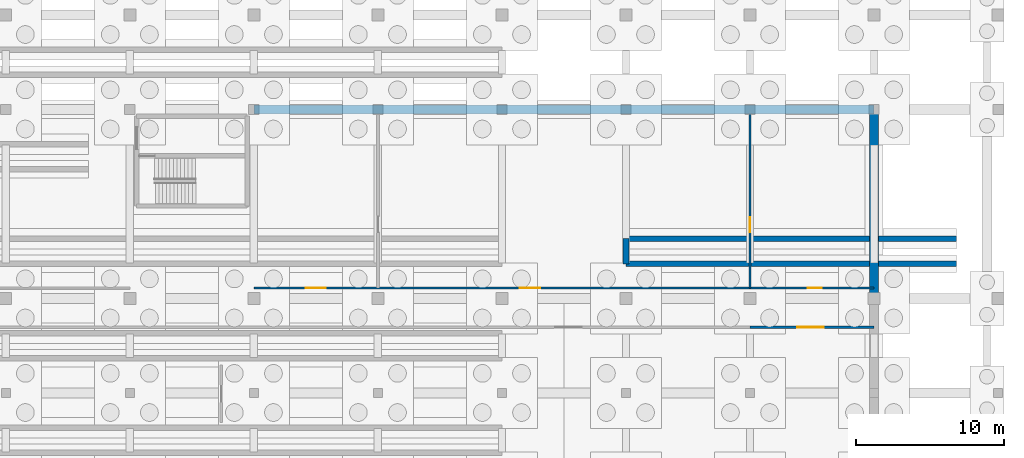
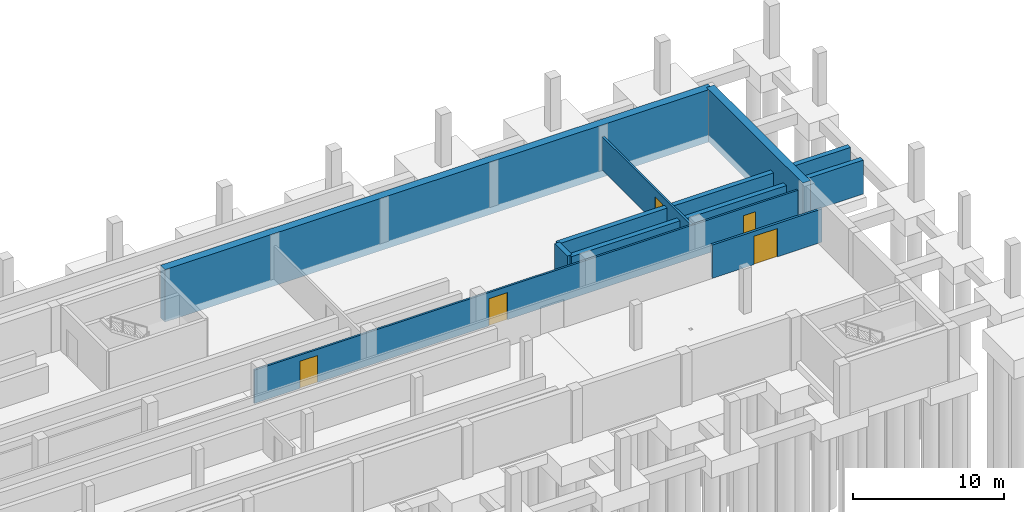
# One storey, part 6 of 9: 8 walls, 5 doors, 5 openings.
"""IFC4 building model written with IfcOpenShell, lengths in metres."""

from ifc_helpers import new_model, si_unit, direction, frame, frame_2d, origin, place, context, subcontext, project, spatial, rectangle, extrude, material, layer, layer_set, type_object, element, fill, save


model = new_model("IFC4")

# Units and contexts
model_context = context("Model", 3, precision=1e-05, world=origin(), true_north=direction((0.0, 1.0)))
body_context = subcontext(model_context, "Body", "Model", "MODEL_VIEW")
ifc_project = project(units=[si_unit("LENGTHUNIT", "METRE"), si_unit("AREAUNIT", "SQUARE_METRE"), si_unit("VOLUMEUNIT", "CUBIC_METRE"), si_unit("PLANEANGLEUNIT", "RADIAN"), si_unit("MASSUNIT", "GRAM", prefix="KILO")], contexts=[model_context])

# Site, building, storey
site_placement = place(None, origin())
site = spatial("IfcSite", under=ifc_project, at=site_placement, CompositionType="ELEMENT")
building_placement = place(site_placement, origin())
building = spatial("IfcBuilding", under=site, at=building_placement, Name="Kazenagashi Tramway Depot", CompositionType="ELEMENT")
storey_placement = place(building_placement, frame((0.0, 0.0, -4.0)))
storey = spatial("IfcBuildingStorey", under=building, at=storey_placement, Name="B01", CompositionType="ELEMENT", Elevation=-4.0)

# Walls
ifc_material_1 = material(Name="Concrete Fc36", Category="concrete")
ifc_layer_1 = layer(ifc_material_1, 0.6)
ifc_layer_set_1 = layer_set([ifc_layer_1], Name="Concrete Fc36")
wall_type_1 = type_object("IfcWallType", Name="RW-02", PredefinedType="USERDEFINED", material=ifc_layer_set_1)
wall_1_placement = place(storey_placement, frame((95.2, 48.5, -0.6), z_axis=(0.0, 0.0, 1.0), x_axis=(1.0, 0.0, 0.0)))
element("IfcWall", 1, at=wall_1_placement, inside=storey, type_object=wall_type_1, Name="Basement Retaining Wall RW-N2", ObjectType="RETAININGWALL", PredefinedType="USERDEFINED", context=body_context, shape_type="SweptSolid", body=[
    extrude(rectangle(XDim=42.0, YDim=0.6, at=frame_2d((21.0, 0.0))), origin(), (0.0, 0.0, 1.0), 4.25),
])
wall_2_placement = place(storey_placement, frame((137.2, 35.7, -0.6), z_axis=(0.0, 0.0, 1.0), x_axis=(0.0, 1.0, 0.0)))
element("IfcWall", 2, at=wall_2_placement, inside=storey, type_object=wall_type_1, Name="Basement Retaining Wall RW-E2", ObjectType="RETAININGWALL", PredefinedType="USERDEFINED", context=body_context, shape_type="SweptSolid", body=[
    extrude(rectangle(XDim=12.8, YDim=0.6, at=frame_2d((6.4, 0.0))), origin(), (0.0, 0.0, 1.0), 4.25),
])
ifc_layer_2 = layer(ifc_material_1, 0.38)
ifc_layer_set_2 = layer_set([ifc_layer_2], Name="Concrete Fc36")
wall_type_2 = type_object("IfcWallType", Name="RW-03", PredefinedType="USERDEFINED", material=ifc_layer_set_2)
for number, where, z_axis, x_axis, name in (
    (3, (120.4, 38.05, -0.6), (0.0, 0.0, 1.0), (1.0, 0.0, 0.0), "Tram Periodic Inspection Pit 6 Substructure Wall 1"),
    (4, (120.4, 39.75, -0.6), (0.0, 0.0, 1.0), (1.0, 0.0, 0.0), "Tram Periodic Inspection Pit 6 Substructure Wall 2"),
):
    element("IfcWall", number, at=place(storey_placement, frame(where, z_axis=z_axis, x_axis=x_axis)), inside=storey, type_object=wall_type_2, Name=name, ObjectType="RETAININGWALL", PredefinedType="USERDEFINED", context=body_context, shape_type="SweptSolid", body=[
        extrude(rectangle(XDim=22.4, YDim=0.38, at=frame_2d((11.2, 0.0))), origin(), (0.0, 0.0, 1.0), 2.75),
    ])
wall_3_placement = place(storey_placement, frame((120.4, 38.05, -0.6), z_axis=(0.0, 0.0, 1.0), x_axis=(0.0, 1.0, 0.0)))
element("IfcWall", 5, at=wall_3_placement, inside=storey, type_object=wall_type_2, Name="Tram Periodic Inspection Pit 6 Substructure End Wall", ObjectType="RETAININGWALL", PredefinedType="USERDEFINED", context=body_context, shape_type="SweptSolid", body=[
    extrude(rectangle(XDim=1.7, YDim=0.38, at=frame_2d((0.85, 0.0))), origin(), (0.0, 0.0, 1.0), 2.75),
])

# Wall, openings, doors
ifc_material_2 = material(Name="Gypsum Plasterboard Partition", Category="gypsum")
ifc_layer_3 = layer(ifc_material_2, 0.15)
ifc_layer_set_3 = layer_set([ifc_layer_3], Name="Gypsum Plasterboard Partition")
wall_type_3 = type_object("IfcWallType", Name="W-PT1", PredefinedType="PARTITIONING", material=ifc_layer_set_3)
wall_4_placement = place(storey_placement, frame((95.2, 36.4, 0.0), z_axis=(0.0, 0.0, 1.0), x_axis=(1.0, 0.0, 0.0)))
wall_4 = element("IfcWall", 6, at=wall_4_placement, inside=storey, type_object=wall_type_3, Name="Interior Partition W-PT1 IWALL-0243", PredefinedType="PARTITIONING", context=body_context, shape_type="SweptSolid", body=[
    extrude(rectangle(XDim=42.0, YDim=0.15, at=frame_2d((21.0, 0.0))), origin(), (0.0, 0.0, 1.0), 2.7),
])
opening_1_placement = place(wall_4_placement, frame((3.5, 0.0, 0.0)))
opening_1 = element("IfcOpeningElement", 7, at=opening_1_placement, cuts=wall_4, Name="Opening D-136", PredefinedType="OPENING", context=body_context, shape_type="SweptSolid", body=[
    extrude(rectangle(XDim=1.35, YDim=2.2, at=frame_2d((0.675, 1.1))), frame((0.0, 0.085, 0.0), z_axis=(0.0, -1.0, 0.0), x_axis=(1.0, 0.0, 0.0)), (0.0, 0.0, 1.0), 0.17),
])
opening_2_placement = place(wall_4_placement, frame((18.0, 0.0, 0.0)))
opening_2 = element("IfcOpeningElement", 8, at=opening_2_placement, cuts=wall_4, Name="Opening D-137", PredefinedType="OPENING", context=body_context, shape_type="SweptSolid", body=[
    extrude(rectangle(XDim=1.4, YDim=2.2, at=frame_2d((0.7, 1.1))), frame((0.0, 0.085, 0.0), z_axis=(0.0, -1.0, 0.0), x_axis=(1.0, 0.0, 0.0)), (0.0, 0.0, 1.0), 0.17),
])
opening_3_placement = place(wall_4_placement, frame((37.5, 0.0, 0.0)))
opening_3 = element("IfcOpeningElement", 9, at=opening_3_placement, cuts=wall_4, Name="Opening D-138", PredefinedType="OPENING", context=body_context, shape_type="SweptSolid", body=[
    extrude(rectangle(XDim=0.95, YDim=2.1, at=frame_2d((0.475, 1.05))), frame((0.0, 0.085, 0.0), z_axis=(0.0, -1.0, 0.0), x_axis=(1.0, 0.0, 0.0)), (0.0, 0.0, 1.0), 0.17),
])
ifc_material_3 = material(Name="Powder-Coated Steel Door", Category="steel")
door_type_1 = type_object("IfcDoorType", Name="DT-09", OperationType="NOTDEFINED", PredefinedType="DOOR", material=ifc_material_3)
door_1_placement = place(opening_3_placement, origin())
door_1 = element("IfcDoor", 10, at=door_1_placement, inside=storey, type_object=door_type_1, Name="Interior Door D-138", OperationType="SINGLE_SWING_LEFT", OverallHeight=2.1, OverallWidth=0.95, PredefinedType="DOOR", context=body_context, shape_type="SweptSolid", body=[
    extrude(rectangle(XDim=0.95, YDim=2.1, at=frame_2d((0.475, 1.05))), frame((0.0, 0.025, 0.0), z_axis=(0.0, -1.0, 0.0), x_axis=(1.0, 0.0, 0.0)), (0.0, 0.0, 1.0), 0.05),
])
fill(opening_3, door_1)
door_type_2 = type_object("IfcDoorType", Name="DT-15", OperationType="NOTDEFINED", PredefinedType="DOOR", material=ifc_material_3)
door_2_placement = place(opening_1_placement, origin())
door_2 = element("IfcDoor", 11, at=door_2_placement, inside=storey, type_object=door_type_2, Name="Interior Door D-136", OperationType="DOUBLE_DOOR_SINGLE_SWING", OverallHeight=2.2, OverallWidth=1.35, PredefinedType="DOOR", context=body_context, shape_type="SweptSolid", body=[
    extrude(rectangle(XDim=1.35, YDim=2.2, at=frame_2d((0.675, 1.1))), frame((0.0, 0.025, 0.0), z_axis=(0.0, -1.0, 0.0), x_axis=(1.0, 0.0, 0.0)), (0.0, 0.0, 1.0), 0.05),
])
fill(opening_1, door_2)
door_type_3 = type_object("IfcDoorType", Name="DT-16", OperationType="NOTDEFINED", PredefinedType="DOOR", material=ifc_material_3)
door_3_placement = place(opening_2_placement, origin())
door_3 = element("IfcDoor", 12, at=door_3_placement, inside=storey, type_object=door_type_3, Name="Interior Door D-137", OperationType="DOUBLE_DOOR_SINGLE_SWING", OverallHeight=2.2, OverallWidth=1.4, PredefinedType="DOOR", context=body_context, shape_type="SweptSolid", body=[
    extrude(rectangle(XDim=1.4, YDim=2.2, at=frame_2d((0.7, 1.1))), frame((0.0, 0.025, 0.0), z_axis=(0.0, -1.0, 0.0), x_axis=(1.0, 0.0, 0.0)), (0.0, 0.0, 1.0), 0.05),
])
fill(opening_2, door_3)

# Wall, opening, door
wall_5_placement = place(storey_placement, frame((128.8, 36.4, 0.0), z_axis=(0.0, 0.0, 1.0), x_axis=(0.0, 1.0, 0.0)))
wall_5 = element("IfcWall", 13, at=wall_5_placement, inside=storey, type_object=wall_type_3, Name="Interior Partition W-PT1 IWALL-0245", PredefinedType="PARTITIONING", context=body_context, shape_type="SweptSolid", body=[
    extrude(rectangle(XDim=12.1, YDim=0.15, at=frame_2d((6.05, 0.0))), origin(), (0.0, 0.0, 1.0), 2.7),
])
opening_4_placement = place(wall_5_placement, frame((3.8, 0.0, 0.0)))
opening_4 = element("IfcOpeningElement", 14, at=opening_4_placement, cuts=wall_5, Name="Opening D-140", PredefinedType="OPENING", context=body_context, shape_type="SweptSolid", body=[
    extrude(rectangle(XDim=1.0, YDim=2.1, at=frame_2d((0.5, 1.05))), frame((0.0, 0.085, 0.0), z_axis=(0.0, -1.0, 0.0), x_axis=(1.0, 0.0, 0.0)), (0.0, 0.0, 1.0), 0.17),
])
door_type_4 = type_object("IfcDoorType", Name="DT-10", OperationType="NOTDEFINED", PredefinedType="DOOR", material=ifc_material_3)
door_4_placement = place(opening_4_placement, origin())
door_4 = element("IfcDoor", 15, at=door_4_placement, inside=storey, type_object=door_type_4, Name="Interior Door D-140", OperationType="SINGLE_SWING_LEFT", OverallHeight=2.1, OverallWidth=1.0, PredefinedType="DOOR", context=body_context, shape_type="SweptSolid", body=[
    extrude(rectangle(XDim=1.0, YDim=2.1, at=frame_2d((0.5, 1.05))), frame((0.0, 0.025, 0.0), z_axis=(0.0, -1.0, 0.0), x_axis=(1.0, 0.0, 0.0)), (0.0, 0.0, 1.0), 0.05),
])
fill(opening_4, door_4)

ifc_layer_4 = layer(ifc_material_2, 0.18)
ifc_layer_set_4 = layer_set([ifc_layer_4], Name="Gypsum Plasterboard Partition")
wall_type_4 = type_object("IfcWallType", Name="W-PT4", PredefinedType="PARTITIONING", material=ifc_layer_set_4)
wall_6_placement = place(storey_placement, frame((128.8, 33.75, 0.0), z_axis=(0.0, 0.0, 1.0), x_axis=(1.0, 0.0, 0.0)))
wall_6 = element("IfcWall", 16, at=wall_6_placement, inside=storey, type_object=wall_type_4, Name="Interior Partition W-PT4 IWALL-0239", PredefinedType="PARTITIONING", context=body_context, shape_type="SweptSolid", body=[
    extrude(rectangle(XDim=8.4, YDim=0.18, at=frame_2d((4.2, 0.0))), origin(), (0.0, 0.0, 1.0), 2.7),
])
opening_5_placement = place(wall_6_placement, frame((3.2, 0.0, 0.0)))
opening_5 = element("IfcOpeningElement", 17, at=opening_5_placement, cuts=wall_6, Name="Opening D-132", PredefinedType="OPENING", context=body_context, shape_type="SweptSolid", body=[
    extrude(rectangle(XDim=1.8, YDim=2.3, at=frame_2d((0.9, 1.15))), frame((0.0, 0.1, 0.0), z_axis=(0.0, -1.0, 0.0), x_axis=(1.0, 0.0, 0.0)), (0.0, 0.0, 1.0), 0.2),
])
ifc_material_4 = material(Name="Galvanised Fire-Rated Steel Door", Category="steel")
door_type_5 = type_object("IfcDoorType", Name="DT-08", OperationType="NOTDEFINED", PredefinedType="DOOR", material=ifc_material_4)
door_5_placement = place(opening_5_placement, origin())
door_5 = element("IfcDoor", 18, at=door_5_placement, inside=storey, type_object=door_type_5, Name="Interior Door D-132", OperationType="DOUBLE_DOOR_SINGLE_SWING", OverallHeight=2.3, OverallWidth=1.8, PredefinedType="DOOR", context=body_context, shape_type="SweptSolid", body=[
    extrude(rectangle(XDim=1.8, YDim=2.3, at=frame_2d((0.9, 1.15))), frame((0.0, 0.025, 0.0), z_axis=(0.0, -1.0, 0.0), x_axis=(1.0, 0.0, 0.0)), (0.0, 0.0, 1.0), 0.05),
])
fill(opening_5, door_5)

save(model, "model.ifc")
